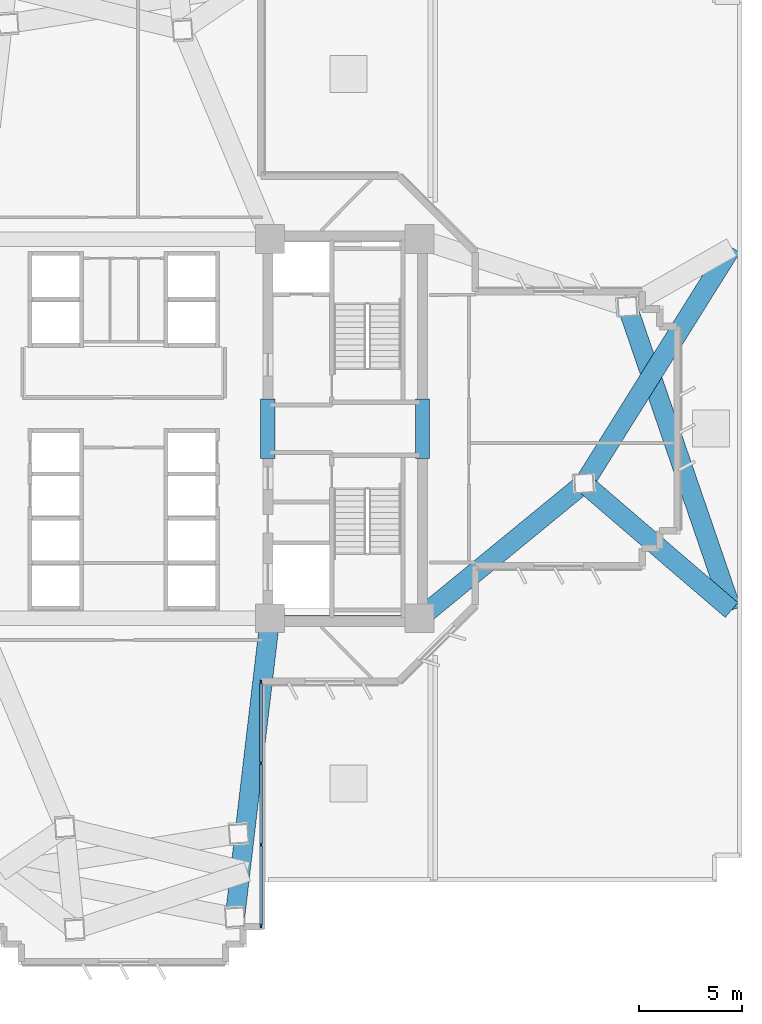
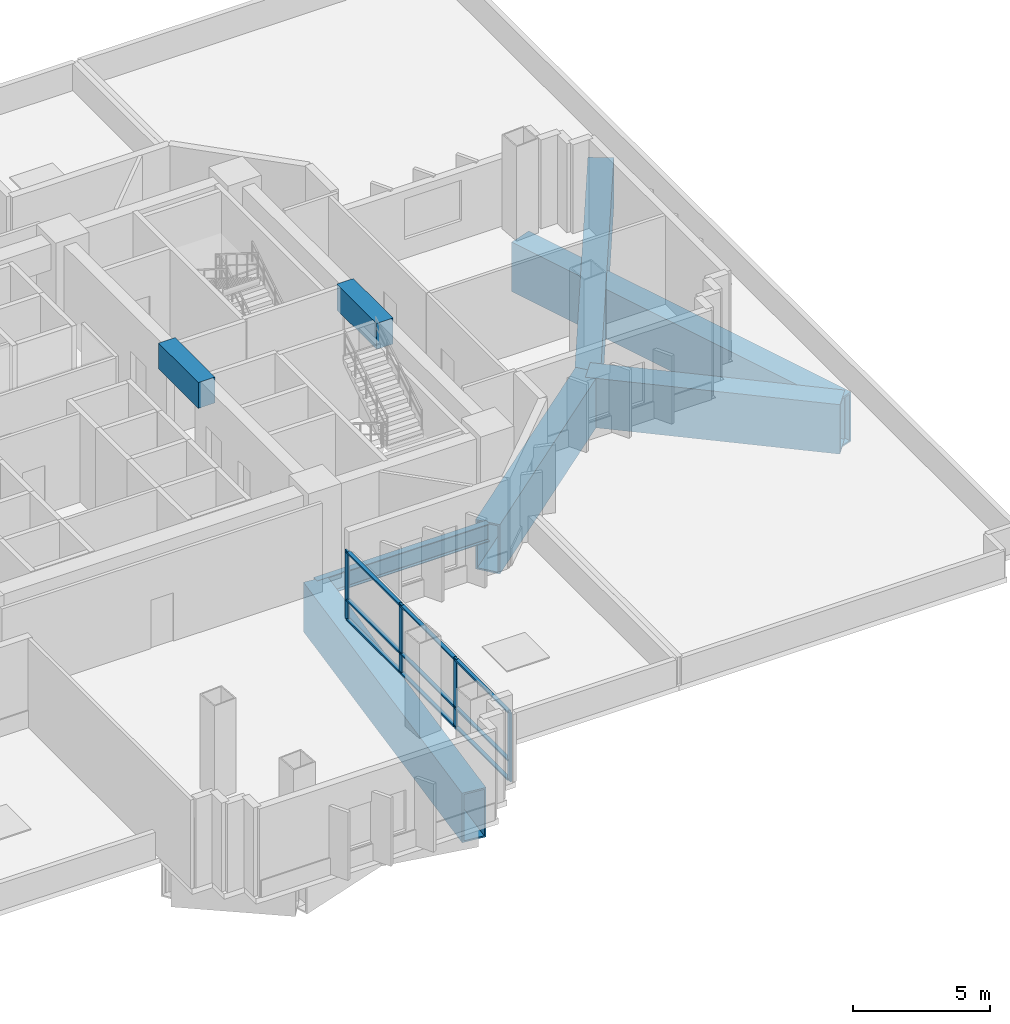
# One storey, part 4 of 15: 13 members, 8 beams, 1 element without a shape of its own.
"""IFC4 building model written with IfcOpenShell, lengths in metres."""

from ifc_helpers import new_model, si_unit, direction, frame, origin, origin_2d, place, context, subcontext, project, spatial, rectangle, hollow_rectangle, i_section, extrude, source, transform, mapped, material, layer, layer_set, material_profile, profile_set, type_object, element, aggregate, save


model = new_model("IFC4")

# Units and contexts
model_context = context("Model", 3, precision=1e-05, world=origin(), true_north=direction((0.0, 1.0)))
body_context = subcontext(model_context, "Body", "Model", "MODEL_VIEW")
ifc_project = project(units=[si_unit("LENGTHUNIT", "METRE"), si_unit("AREAUNIT", "SQUARE_METRE"), si_unit("VOLUMEUNIT", "CUBIC_METRE"), si_unit("PLANEANGLEUNIT", "RADIAN"), si_unit("MASSUNIT", "GRAM", prefix="KILO")], contexts=[model_context])

# Site, building, storey
site_placement = place(None, origin())
site = spatial("IfcSite", under=ifc_project, at=site_placement, CompositionType="ELEMENT")
building_placement = place(site_placement, origin())
building = spatial("IfcBuilding", under=site, at=building_placement, Name="Zahravan Cultural Tower", CompositionType="ELEMENT")
storey_placement = place(building_placement, frame((0.0, 0.0, 29.10009765625)))
storey = spatial("IfcBuildingStorey", under=building, at=storey_placement, Name="L05", CompositionType="ELEMENT", Elevation=29.10009765625)

# Beams
ifc_material_1 = material(Name="Concrete C50/60", Category="concrete")
ifc_material_profile_1 = material_profile(ifc_material_1, rectangle(XDim=0.699951171875, YDim=1.14990234375, at=origin_2d()), Name="RC700X1150")
ifc_profile_set_1 = profile_set([ifc_material_profile_1], Name="Concrete C50/60")
beam_type_1 = type_object("IfcBeamType", Name="BM-LN-RC700X1150", PredefinedType="LINTEL", material=ifc_profile_set_1)
shared_shape_1 = source(origin(), body_context, "Body", "SweptSolid", [
    extrude(rectangle(XDim=0.699951171875, YDim=1.14990234375, at=origin_2d()), origin(), (0.0, 0.0, 1.0), 2.89990234375),
])
for number, where, z_axis, x_axis, name in (
    (1, (43.0, 25.550048828125, 3.375), (0.0, 1.0, 0.0), (-1.0, 0.0, 0.0), "L05 Beam LN-L05-PEW"),
    (2, (50.5, 25.550048828125, 3.375), (0.0, 1.0, 0.0), (-1.0, 0.0, 0.0), "L05 Beam LN-L05-PEE"),
):
    element("IfcBeam", number, at=place(storey_placement, frame(where, z_axis=z_axis, x_axis=x_axis)), inside=storey, type_object=beam_type_1, Name=name, PredefinedType="LINTEL", context=body_context, shape_type="MappedRepresentation", body=[
        mapped(shared_shape_1, transform((0.0, 0.0, 0.0), x_axis=(1.0, 0.0, 0.0), y_axis=(0.0, 1.0, 0.0), z_axis=(0.0, 0.0, 1.0), scale=1.0)),
    ])
ifc_material_2 = material(Name="Steel ASTM A992 Grade 50", Category="steel")
ifc_material_profile_2 = material_profile(ifc_material_2, i_section(OverallWidth=0.26611328125, OverallDepth=0.780029296875, WebThickness=0.0166015625, FlangeThickness=0.030029296875, FilletRadius=0.01904296875, at=origin_2d()), Name="W30X148")
ifc_profile_set_2 = profile_set([ifc_material_profile_2], Name="Steel ASTM A992 Grade 50")
beam_type_2 = type_object("IfcBeamType", Name="BM-G-W30X148", PredefinedType="BEAM", material=ifc_profile_set_2)
shared_shape_2 = source(origin(), body_context, "Body", "SweptSolid", [
    extrude(i_section(OverallWidth=0.26611328125, OverallDepth=0.780029296875, WebThickness=0.0166015625, FlangeThickness=0.030029296875, FilletRadius=0.01904296875, at=origin_2d()), origin(), (0.0, 0.0, 1.0), 7.25),
])
beam_1_placement = place(storey_placement, frame((43.10009765625, 17.800048828125, -0.64013671875), z_axis=(1.0, 0.0, 0.0), x_axis=(0.0, 1.0, 0.0)))
element("IfcBeam", 3, at=beam_1_placement, inside=storey, type_object=beam_type_2, Name="L05 Beam BG-L05-04", PredefinedType="BEAM", context=body_context, shape_type="MappedRepresentation", body=[
    mapped(shared_shape_2, transform((0.0, 0.0, 0.0), x_axis=(1.0, 0.0, 0.0), y_axis=(0.0, 1.0, 0.0), z_axis=(0.0, 0.0, 1.0), scale=1.0)),
])
ifc_material_3 = material(Name="Steel ASTM A572 Grade 50", Category="steel")
ifc_material_profile_3 = material_profile(ifc_material_3, hollow_rectangle(XDim=0.949951171875, YDim=2.199951171875, WallThickness=0.070068359375, at=origin_2d()), Name="BOX2200X950X70")
ifc_profile_set_3 = profile_set([ifc_material_profile_3], Name="Steel ASTM A572 Grade 50")
beam_type_3 = type_object("IfcBeamType", Name="BM-TR-BOX2200", PredefinedType="BEAM", material=ifc_profile_set_3)
shared_shape_3 = source(origin(), body_context, "Body", "SweptSolid", [
    extrude(hollow_rectangle(XDim=0.949951171875, YDim=2.199951171875, WallThickness=0.070068359375, at=origin_2d()), origin(), (0.0, 0.0, 1.0), 15.56298828125),
])
beam_2_placement = place(storey_placement, frame((60.446533203125, 32.919677734375, -1.35009765625), z_axis=(0.3247097171, -0.945813723532, 0.0), x_axis=(0.945813723532, 0.3247097171, 0.0)))
element("IfcBeam", 4, at=beam_2_placement, inside=storey, type_object=beam_type_3, Name="L05 Beam TB-L05-27", PredefinedType="BEAM", context=body_context, shape_type="MappedRepresentation", body=[
    mapped(shared_shape_3, transform((0.0, 0.0, 0.0), x_axis=(1.0, 0.0, 0.0), y_axis=(0.0, 1.0, 0.0), z_axis=(0.0, 0.0, 1.0), scale=1.0)),
])
shared_shape_4 = source(origin(), body_context, "Body", "SweptSolid", [
    extrude(hollow_rectangle(XDim=0.949951171875, YDim=2.199951171875, WallThickness=0.070068359375, at=origin_2d()), origin(), (0.0, 0.0, 1.0), 14.607177734375),
])
beam_3_placement = place(storey_placement, frame((43.10009765625, 17.800048828125, -1.35009765625), z_axis=(-0.116428127806, -0.99319911954, 0.0), x_axis=(0.99319911954, -0.116428127806, 0.0)))
element("IfcBeam", 5, at=beam_3_placement, inside=storey, type_object=beam_type_3, Name="L05 Beam TB-L05-16", PredefinedType="BEAM", context=body_context, shape_type="MappedRepresentation", body=[
    mapped(shared_shape_4, transform((0.0, 0.0, 0.0), x_axis=(1.0, 0.0, 0.0), y_axis=(0.0, 1.0, 0.0), z_axis=(0.0, 0.0, 1.0), scale=1.0)),
])
shared_shape_5 = source(origin(), body_context, "Body", "SweptSolid", [
    extrude(hollow_rectangle(XDim=0.949951171875, YDim=2.199951171875, WallThickness=0.070068359375, at=origin_2d()), origin(), (0.0, 0.0, 1.0), 10.33203125),
])
beam_4_placement = place(storey_placement, frame((50.35009765625, 17.800048828125, -1.35009765625), z_axis=(0.773231409473, 0.634123952713, 0.0), x_axis=(-0.634123952713, 0.773231409473, 0.0)))
element("IfcBeam", 6, at=beam_4_placement, inside=storey, type_object=beam_type_3, Name="L05 Beam TB-L05-22", PredefinedType="BEAM", context=body_context, shape_type="MappedRepresentation", body=[
    mapped(shared_shape_5, transform((0.0, 0.0, 0.0), x_axis=(1.0, 0.0, 0.0), y_axis=(0.0, 1.0, 0.0), z_axis=(0.0, 0.0, 1.0), scale=1.0)),
])
shared_shape_6 = source(origin(), body_context, "Body", "SweptSolid", [
    extrude(hollow_rectangle(XDim=0.949951171875, YDim=2.199951171875, WallThickness=0.070068359375, at=origin_2d()), origin(), (0.0, 0.0, 1.0), 9.4404296875),
])
beam_5_placement = place(storey_placement, frame((58.339111328125, 24.351806640625, -1.35009765625), z_axis=(0.758525934456, -0.65164285215, 0.0), x_axis=(0.65164285215, 0.758525934456, 0.0)))
element("IfcBeam", 7, at=beam_5_placement, inside=storey, type_object=beam_type_3, Name="L05 Beam TB-L05-23", PredefinedType="BEAM", context=body_context, shape_type="MappedRepresentation", body=[
    mapped(shared_shape_6, transform((0.0, 0.0, 0.0), x_axis=(1.0, 0.0, 0.0), y_axis=(0.0, 1.0, 0.0), z_axis=(0.0, 0.0, 1.0), scale=1.0)),
])
shared_shape_7 = source(origin(), body_context, "Body", "SweptSolid", [
    extrude(hollow_rectangle(XDim=0.949951171875, YDim=2.199951171875, WallThickness=0.070068359375, at=origin_2d()), origin(), (0.0, 0.0, 1.0), 13.50341796875),
])
beam_6_placement = place(storey_placement, frame((58.339111328125, 24.351806640625, -1.35009765625), z_axis=(0.530304437263, 0.847807291676, 0.0), x_axis=(-0.847807291676, 0.530304437263, 0.0)))
element("IfcBeam", 8, at=beam_6_placement, inside=storey, type_object=beam_type_3, Name="L05 Beam TB-L05-24", PredefinedType="BEAM", context=body_context, shape_type="MappedRepresentation", body=[
    mapped(shared_shape_7, transform((0.0, 0.0, 0.0), x_axis=(1.0, 0.0, 0.0), y_axis=(0.0, 1.0, 0.0), z_axis=(0.0, 0.0, 1.0), scale=1.0)),
])

# Curtain wall, members
ifc_material_4 = material(Name="Anodised bronze-aluminium mullion", Category="aluminium")
ifc_layer = layer(ifc_material_4, 0.199951171875)
ifc_layer_set = layer_set([ifc_layer], Name="Anodised bronze-aluminium mullion")
curtain_wall_type = type_object("IfcCurtainWallType", Name="CW-SYS-2", PredefinedType="USERDEFINED", material=ifc_layer_set)
curtain_wall_placement = place(storey_placement, origin())
curtain_wall = element("IfcCurtainWall", 9, at=curtain_wall_placement, inside=storey, type_object=curtain_wall_type, Name="L05 Recessed Curtain Wall CW-2.1", ObjectType="RECESSED GLAZING", PredefinedType="USERDEFINED")
ifc_material_profile_4 = material_profile(ifc_material_4, rectangle(XDim=0.074951171875, YDim=0.199951171875, at=origin_2d()), Name="AL-M75X200")
ifc_profile_set_4 = profile_set([ifc_material_profile_4], Name="Anodised bronze-aluminium mullion")
member_type_1 = type_object("IfcMemberType", Name="CWM-CW-2", PredefinedType="MULLION", material=ifc_profile_set_4)
shared_shape_8 = source(origin(), body_context, "Body", "SweptSolid", [
    extrude(rectangle(XDim=0.074951171875, YDim=0.199951171875, at=origin_2d()), origin(), (0.0, 0.0, 1.0), 3.06982421875),
])
member_1_placement = place(storey_placement, frame((42.659912109375, 14.702392578125, 0.0), z_axis=(0.0, 0.0, 1.0), x_axis=(1.0, 0.0, 0.0)))
member_1 = element("IfcMember", 10, at=member_1_placement, type_object=member_type_1, Name="CW-2 mullion 1", PredefinedType="MULLION", context=body_context, shape_type="MappedRepresentation", body=[
    mapped(shared_shape_8, transform((0.0, 0.0, 0.0), x_axis=(1.0, 0.0, 0.0), y_axis=(0.0, 1.0, 0.0), z_axis=(0.0, 0.0, 1.0), scale=1.0)),
])
member_2_placement = place(storey_placement, frame((42.659912109375, 10.7734375, 0.0), z_axis=(0.0, 0.0, 1.0), x_axis=(1.0, 0.0, 0.0)))
member_2 = element("IfcMember", 11, at=member_2_placement, type_object=member_type_1, Name="CW-2 mullion 2", PredefinedType="MULLION", context=body_context, shape_type="MappedRepresentation", body=[
    mapped(shared_shape_8, transform((0.0, 0.0, 0.0), x_axis=(1.0, 0.0, 0.0), y_axis=(0.0, 1.0, 0.0), z_axis=(0.0, 0.0, 1.0), scale=1.0)),
])
member_3_placement = place(storey_placement, frame((42.659912109375, 6.806640625, 0.0), z_axis=(0.0, 0.0, 1.0), x_axis=(1.0, 0.0, 0.0)))
member_3 = element("IfcMember", 12, at=member_3_placement, type_object=member_type_1, Name="CW-2 mullion 3", PredefinedType="MULLION", context=body_context, shape_type="MappedRepresentation", body=[
    mapped(shared_shape_8, transform((0.0, 0.0, 0.0), x_axis=(1.0, 0.0, 0.0), y_axis=(0.0, 1.0, 0.0), z_axis=(0.0, 0.0, 1.0), scale=1.0)),
])
member_4_placement = place(storey_placement, frame((42.659912109375, 2.87744140625, 0.0), z_axis=(0.0, 0.0, 1.0), x_axis=(1.0, 0.0, 0.0)))
member_4 = element("IfcMember", 13, at=member_4_placement, type_object=member_type_1, Name="CW-2 mullion 4", PredefinedType="MULLION", context=body_context, shape_type="MappedRepresentation", body=[
    mapped(shared_shape_8, transform((0.0, 0.0, 0.0), x_axis=(1.0, 0.0, 0.0), y_axis=(0.0, 1.0, 0.0), z_axis=(0.0, 0.0, 1.0), scale=1.0)),
])
ifc_material_profile_5 = material_profile(ifc_material_4, rectangle(XDim=0.14990234375, YDim=0.074951171875, at=origin_2d()), Name="AL-T75X150")
ifc_profile_set_5 = profile_set([ifc_material_profile_5], Name="Anodised bronze-aluminium mullion")
member_type_2 = type_object("IfcMemberType", Name="CWT-CW-2", PredefinedType="USERDEFINED", material=ifc_profile_set_5)
shared_shape_9 = source(origin(), body_context, "Body", "SweptSolid", [
    extrude(rectangle(XDim=0.14990234375, YDim=0.074951171875, at=origin_2d()), origin(), (0.0, 0.0, 1.0), 3.854248046875),
])
member_5_placement = place(storey_placement, frame((42.659912109375, 14.6650390625, 0.037353515625), z_axis=(0.0, -1.0, 0.0), x_axis=(1.0, 0.0, 0.0)))
member_5 = element("IfcMember", 14, at=member_5_placement, type_object=member_type_2, Name="CW-2 transom 1.1", ObjectType="TRANSOM", PredefinedType="USERDEFINED", context=body_context, shape_type="MappedRepresentation", body=[
    mapped(shared_shape_9, transform((0.0, 0.0, 0.0), x_axis=(1.0, 0.0, 0.0), y_axis=(0.0, 1.0, 0.0), z_axis=(0.0, 0.0, 1.0), scale=1.0)),
])
member_6_placement = place(storey_placement, frame((42.659912109375, 14.6650390625, 0.89990234375), z_axis=(0.0, -1.0, 0.0), x_axis=(1.0, 0.0, 0.0)))
member_6 = element("IfcMember", 15, at=member_6_placement, type_object=member_type_2, Name="CW-2 transom 1.2", ObjectType="TRANSOM", PredefinedType="USERDEFINED", context=body_context, shape_type="MappedRepresentation", body=[
    mapped(shared_shape_9, transform((0.0, 0.0, 0.0), x_axis=(1.0, 0.0, 0.0), y_axis=(0.0, 1.0, 0.0), z_axis=(0.0, 0.0, 1.0), scale=1.0)),
])
member_7_placement = place(storey_placement, frame((42.659912109375, 14.6650390625, 3.032470703125), z_axis=(0.0, -1.0, 0.0), x_axis=(1.0, 0.0, 0.0)))
member_7 = element("IfcMember", 16, at=member_7_placement, type_object=member_type_2, Name="CW-2 transom 1.3", ObjectType="TRANSOM", PredefinedType="USERDEFINED", context=body_context, shape_type="MappedRepresentation", body=[
    mapped(shared_shape_9, transform((0.0, 0.0, 0.0), x_axis=(1.0, 0.0, 0.0), y_axis=(0.0, 1.0, 0.0), z_axis=(0.0, 0.0, 1.0), scale=1.0)),
])
member_8_placement = place(storey_placement, frame((42.659912109375, 6.769287109375, 0.037353515625), z_axis=(0.0, -1.0, 0.0), x_axis=(1.0, 0.0, 0.0)))
member_8 = element("IfcMember", 17, at=member_8_placement, type_object=member_type_2, Name="CW-2 transom 3.1", ObjectType="TRANSOM", PredefinedType="USERDEFINED", context=body_context, shape_type="MappedRepresentation", body=[
    mapped(shared_shape_9, transform((0.0, 0.0, 0.0), x_axis=(1.0, 0.0, 0.0), y_axis=(0.0, 1.0, 0.0), z_axis=(0.0, 0.0, 1.0), scale=1.0)),
])
member_9_placement = place(storey_placement, frame((42.659912109375, 6.769287109375, 0.89990234375), z_axis=(0.0, -1.0, 0.0), x_axis=(1.0, 0.0, 0.0)))
member_9 = element("IfcMember", 18, at=member_9_placement, type_object=member_type_2, Name="CW-2 transom 3.2", ObjectType="TRANSOM", PredefinedType="USERDEFINED", context=body_context, shape_type="MappedRepresentation", body=[
    mapped(shared_shape_9, transform((0.0, 0.0, 0.0), x_axis=(1.0, 0.0, 0.0), y_axis=(0.0, 1.0, 0.0), z_axis=(0.0, 0.0, 1.0), scale=1.0)),
])
member_10_placement = place(storey_placement, frame((42.659912109375, 6.769287109375, 3.032470703125), z_axis=(0.0, -1.0, 0.0), x_axis=(1.0, 0.0, 0.0)))
member_10 = element("IfcMember", 19, at=member_10_placement, type_object=member_type_2, Name="CW-2 transom 3.3", ObjectType="TRANSOM", PredefinedType="USERDEFINED", context=body_context, shape_type="MappedRepresentation", body=[
    mapped(shared_shape_9, transform((0.0, 0.0, 0.0), x_axis=(1.0, 0.0, 0.0), y_axis=(0.0, 1.0, 0.0), z_axis=(0.0, 0.0, 1.0), scale=1.0)),
])
shared_shape_10 = source(origin(), body_context, "Body", "SweptSolid", [
    extrude(rectangle(XDim=0.14990234375, YDim=0.074951171875, at=origin_2d()), origin(), (0.0, 0.0, 1.0), 3.8916015625),
])
member_11_placement = place(storey_placement, frame((42.659912109375, 10.73583984375, 0.037353515625), z_axis=(0.0, -1.0, 0.0), x_axis=(1.0, 0.0, 0.0)))
member_11 = element("IfcMember", 20, at=member_11_placement, type_object=member_type_2, Name="CW-2 transom 2.1", ObjectType="TRANSOM", PredefinedType="USERDEFINED", context=body_context, shape_type="MappedRepresentation", body=[
    mapped(shared_shape_10, transform((0.0, 0.0, 0.0), x_axis=(1.0, 0.0, 0.0), y_axis=(0.0, 1.0, 0.0), z_axis=(0.0, 0.0, 1.0), scale=1.0)),
])
member_12_placement = place(storey_placement, frame((42.659912109375, 10.73583984375, 0.89990234375), z_axis=(0.0, -1.0, 0.0), x_axis=(1.0, 0.0, 0.0)))
member_12 = element("IfcMember", 21, at=member_12_placement, type_object=member_type_2, Name="CW-2 transom 2.2", ObjectType="TRANSOM", PredefinedType="USERDEFINED", context=body_context, shape_type="MappedRepresentation", body=[
    mapped(shared_shape_10, transform((0.0, 0.0, 0.0), x_axis=(1.0, 0.0, 0.0), y_axis=(0.0, 1.0, 0.0), z_axis=(0.0, 0.0, 1.0), scale=1.0)),
])
member_13_placement = place(storey_placement, frame((42.659912109375, 10.73583984375, 3.032470703125), z_axis=(0.0, -1.0, 0.0), x_axis=(1.0, 0.0, 0.0)))
member_13 = element("IfcMember", 22, at=member_13_placement, type_object=member_type_2, Name="CW-2 transom 2.3", ObjectType="TRANSOM", PredefinedType="USERDEFINED", context=body_context, shape_type="MappedRepresentation", body=[
    mapped(shared_shape_10, transform((0.0, 0.0, 0.0), x_axis=(1.0, 0.0, 0.0), y_axis=(0.0, 1.0, 0.0), z_axis=(0.0, 0.0, 1.0), scale=1.0)),
])
aggregate(curtain_wall, [member_1, member_2, member_3, member_4, member_5, member_6, member_7, member_11, member_12, member_13, member_8, member_9, member_10])

save(model, "model.ifc")
